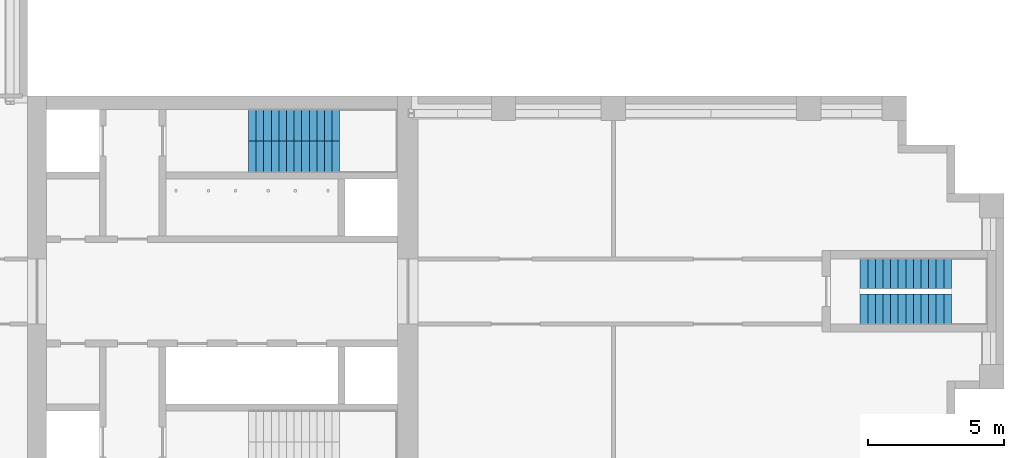
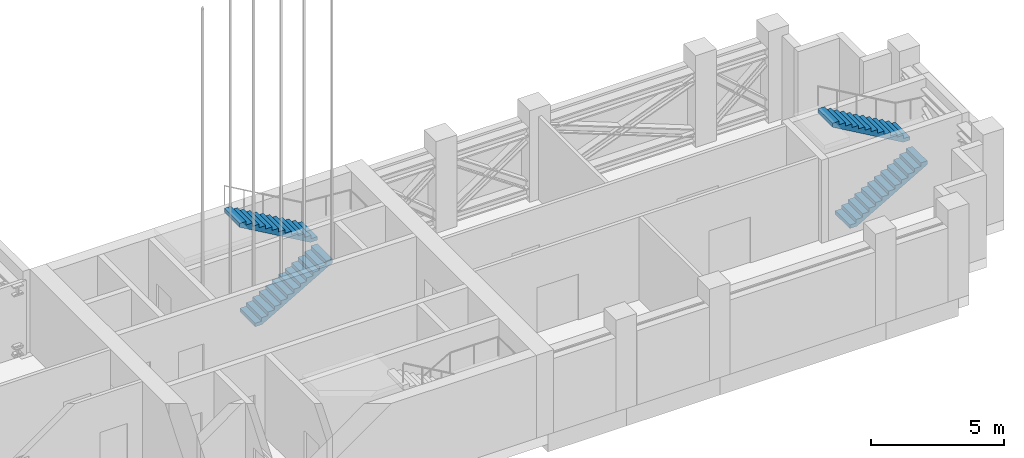
# One storey, part 9 of 22: 4 stair flights, 2 elements without a shape of their own.
"""IFC4 building model written with IfcOpenShell, lengths in metres."""

from ifc_helpers import new_model, si_unit, direction, frame, origin, place, context, subcontext, project, spatial, polyline, outline, extrude, material, type_object, element, aggregate, save


model = new_model("IFC4")

# Units and contexts
model_context = context("Model", 3, precision=1e-05, world=origin(), true_north=direction((0.0, 1.0)))
body_context = subcontext(model_context, "Body", "Model", "MODEL_VIEW")
ifc_project = project(units=[si_unit("LENGTHUNIT", "METRE"), si_unit("AREAUNIT", "SQUARE_METRE"), si_unit("VOLUMEUNIT", "CUBIC_METRE"), si_unit("PLANEANGLEUNIT", "RADIAN"), si_unit("MASSUNIT", "GRAM", prefix="KILO")], contexts=[model_context])

# Site, building, storey
site_placement = place(None, origin())
site = spatial("IfcSite", under=ifc_project, at=site_placement, CompositionType="ELEMENT")
building_placement = place(site_placement, origin())
building = spatial("IfcBuilding", under=site, at=building_placement, Name="Fustian Cross Tower", CompositionType="ELEMENT")
storey_placement = place(building_placement, frame((0.0, 0.0, 111.89990234375)))
storey = spatial("IfcBuildingStorey", under=building, at=storey_placement, Name="L35", CompositionType="ELEMENT", Elevation=111.89990234375)

# Stair, stair flights
ifc_material_1 = material(Name="Concrete C50/60", Category="concrete")
stair_type_1 = type_object("IfcStairType", Name="STAIR 1100 HALF TURN", PredefinedType="HALF_TURN_STAIR", material=ifc_material_1)
stair_1_placement = place(storey_placement, origin())
stair_1 = element("IfcStair", 1, at=stair_1_placement, inside=storey, type_object=stair_type_1, Name="Stair ST8", PredefinedType="HALF_TURN_STAIR")
ifc_material_2 = material(Name="Concrete C50/60", Category="concrete")
stair_flight_type_1 = type_object("IfcStairFlightType", Name="STAIR FLIGHT 1100", PredefinedType="STRAIGHT", material=ifc_material_2)
stair_flight_1_placement = place(storey_placement, frame((37.89990234375, -0.64990234375, 0.0), z_axis=(0.0, 0.0, 1.0), x_axis=(1.0, 0.0, 0.0)))
stair_flight_1 = element("IfcStairFlight", 2, at=stair_flight_1_placement, type_object=stair_flight_type_1, Name="ST8 flight 1", NumberOfRisers=13, NumberOfTreads=12, PredefinedType="STRAIGHT", RiserHeight=0.161538462, TreadLength=0.28, context=body_context, shape_type="SweptSolid", body=[
    extrude(outline(polyline([(0.0, 0.0), (0.0, 0.16162109375), (0.280029296875, 0.16162109375), (0.280029296875, 0.322998046875), (0.56005859375, 0.322998046875), (0.56005859375, 0.484619140625), (0.840087890625, 0.484619140625), (0.840087890625, 0.646240234375), (1.1201171875, 0.646240234375), (1.1201171875, 0.8076171875), (1.39990234375, 0.8076171875), (1.39990234375, 0.96923828125), (1.679931640625, 0.96923828125), (1.679931640625, 1.130859375), (1.9599609375, 1.130859375), (1.9599609375, 1.292236328125), (2.239990234375, 1.292236328125), (2.239990234375, 1.453857421875), (2.52001953125, 1.453857421875), (2.52001953125, 1.615478515625), (2.800048828125, 1.615478515625), (2.800048828125, 1.77685546875), (3.080078125, 1.77685546875), (3.080078125, 1.9384765625), (3.360107421875, 1.9384765625), (3.360107421875, 2.10009765625), (3.360107421875, 1.765380859375), (0.300048828125, 0.0), (0.0, 0.0)])), frame((0.0, 0.550048828125, 0.0), z_axis=(0.0, -1.0, 0.0), x_axis=(1.0, 0.0, 0.0)), (0.0, 0.0, 1.0), 1.10009765625),
])
stair_flight_2_placement = place(storey_placement, frame((41.260009765625, 0.64990234375, 2.10009765625), z_axis=(0.0, 0.0, 1.0), x_axis=(-1.0, 0.0, 0.0)))
stair_flight_2 = element("IfcStairFlight", 3, at=stair_flight_2_placement, type_object=stair_flight_type_1, Name="ST8 flight 2", NumberOfRisers=13, NumberOfTreads=12, PredefinedType="STRAIGHT", RiserHeight=0.161538462, TreadLength=0.28, context=body_context, shape_type="SweptSolid", body=[
    extrude(outline(polyline([(0.0, 0.0), (0.0, 0.16162109375), (0.280029296875, 0.16162109375), (0.280029296875, 0.322998046875), (0.56005859375, 0.322998046875), (0.56005859375, 0.484619140625), (0.840087890625, 0.484619140625), (0.840087890625, 0.646240234375), (1.1201171875, 0.646240234375), (1.1201171875, 0.8076171875), (1.39990234375, 0.8076171875), (1.39990234375, 0.96923828125), (1.679931640625, 0.96923828125), (1.679931640625, 1.130859375), (1.9599609375, 1.130859375), (1.9599609375, 1.292236328125), (2.239990234375, 1.292236328125), (2.239990234375, 1.453857421875), (2.52001953125, 1.453857421875), (2.52001953125, 1.615478515625), (2.800048828125, 1.615478515625), (2.800048828125, 1.77685546875), (3.080078125, 1.77685546875), (3.080078125, 1.9384765625), (3.360107421875, 1.9384765625), (3.360107421875, 2.10009765625), (3.360107421875, 1.765380859375), (0.300048828125, 0.0), (0.0, 0.0)])), frame((0.0, 0.550048828125, 0.0), z_axis=(0.0, -1.0, 0.0), x_axis=(1.0, 0.0, 0.0)), (0.0, 0.0, 1.0), 1.10009765625),
])
aggregate(stair_1, [stair_flight_1, stair_flight_2])

ifc_material_3 = material(Name="Concrete C50/60", Category="concrete")
stair_type_2 = type_object("IfcStairType", Name="STAIR 1150 HALF TURN", PredefinedType="HALF_TURN_STAIR", material=ifc_material_3)
stair_2_placement = place(storey_placement, origin())
stair_2 = element("IfcStair", 4, at=stair_2_placement, inside=storey, type_object=stair_type_2, Name="Stair ST1", PredefinedType="HALF_TURN_STAIR")
ifc_material_4 = material(Name="Concrete C50/60", Category="concrete")
stair_flight_type_2 = type_object("IfcStairFlightType", Name="STAIR FLIGHT 1150", PredefinedType="STRAIGHT", material=ifc_material_4)
stair_flight_3_placement = place(storey_placement, frame((15.35009765625, 4.97509765625, 0.0), z_axis=(0.0, 0.0, 1.0), x_axis=(1.0, 0.0, 0.0)))
stair_flight_3 = element("IfcStairFlight", 5, at=stair_flight_3_placement, type_object=stair_flight_type_2, Name="ST1 flight 1", NumberOfRisers=13, NumberOfTreads=12, PredefinedType="STRAIGHT", RiserHeight=0.161538462, TreadLength=0.28, context=body_context, shape_type="SweptSolid", body=[
    extrude(outline(polyline([(0.0, 0.0), (0.0, 0.16162109375), (0.280029296875, 0.16162109375), (0.280029296875, 0.322998046875), (0.56005859375, 0.322998046875), (0.56005859375, 0.484619140625), (0.840087890625, 0.484619140625), (0.840087890625, 0.646240234375), (1.1201171875, 0.646240234375), (1.1201171875, 0.8076171875), (1.39990234375, 0.8076171875), (1.39990234375, 0.96923828125), (1.679931640625, 0.96923828125), (1.679931640625, 1.130859375), (1.9599609375, 1.130859375), (1.9599609375, 1.292236328125), (2.239990234375, 1.292236328125), (2.239990234375, 1.453857421875), (2.52001953125, 1.453857421875), (2.52001953125, 1.615478515625), (2.800048828125, 1.615478515625), (2.800048828125, 1.77685546875), (3.080078125, 1.77685546875), (3.080078125, 1.9384765625), (3.360107421875, 1.9384765625), (3.360107421875, 2.10009765625), (3.360107421875, 1.765380859375), (0.300048828125, 0.0), (0.0, 0.0)])), frame((0.0, 0.574951171875, 0.0), z_axis=(0.0, -1.0, 0.0), x_axis=(1.0, 0.0, 0.0)), (0.0, 0.0, 1.0), 1.14990234375),
])
stair_flight_4_placement = place(storey_placement, frame((18.7099609375, 6.125, 2.10009765625), z_axis=(0.0, 0.0, 1.0), x_axis=(-1.0, 0.0, 0.0)))
stair_flight_4 = element("IfcStairFlight", 6, at=stair_flight_4_placement, type_object=stair_flight_type_2, Name="ST1 flight 2", NumberOfRisers=13, NumberOfTreads=12, PredefinedType="STRAIGHT", RiserHeight=0.161538462, TreadLength=0.28, context=body_context, shape_type="SweptSolid", body=[
    extrude(outline(polyline([(0.0, 0.0), (0.0, 0.16162109375), (0.280029296875, 0.16162109375), (0.280029296875, 0.322998046875), (0.56005859375, 0.322998046875), (0.56005859375, 0.484619140625), (0.840087890625, 0.484619140625), (0.840087890625, 0.646240234375), (1.1201171875, 0.646240234375), (1.1201171875, 0.8076171875), (1.39990234375, 0.8076171875), (1.39990234375, 0.96923828125), (1.679931640625, 0.96923828125), (1.679931640625, 1.130859375), (1.9599609375, 1.130859375), (1.9599609375, 1.292236328125), (2.239990234375, 1.292236328125), (2.239990234375, 1.453857421875), (2.52001953125, 1.453857421875), (2.52001953125, 1.615478515625), (2.800048828125, 1.615478515625), (2.800048828125, 1.77685546875), (3.080078125, 1.77685546875), (3.080078125, 1.9384765625), (3.360107421875, 1.9384765625), (3.360107421875, 2.10009765625), (3.360107421875, 1.765380859375), (0.300048828125, 0.0), (0.0, 0.0)])), frame((0.0, 0.574951171875, 0.0), z_axis=(0.0, -1.0, 0.0), x_axis=(1.0, 0.0, 0.0)), (0.0, 0.0, 1.0), 1.14990234375),
])
aggregate(stair_2, [stair_flight_3, stair_flight_4])

save(model, "model.ifc")
